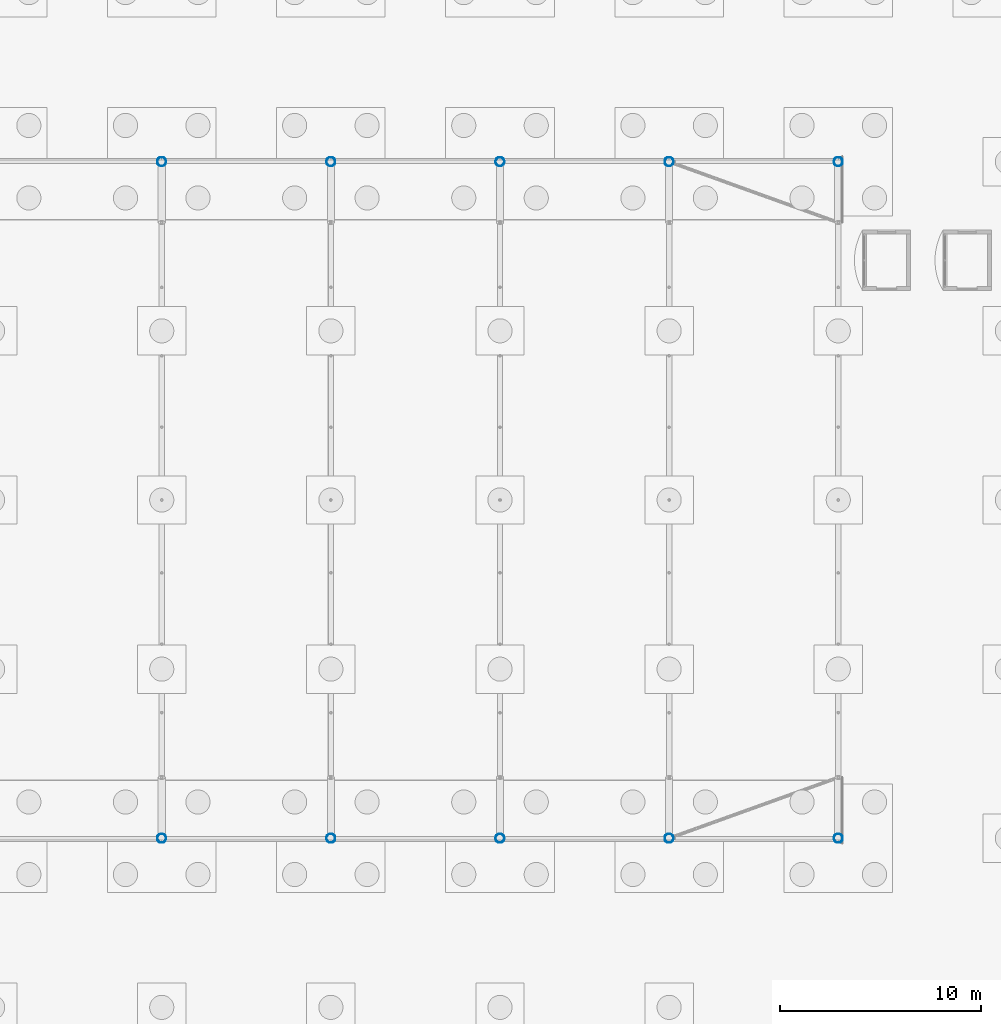
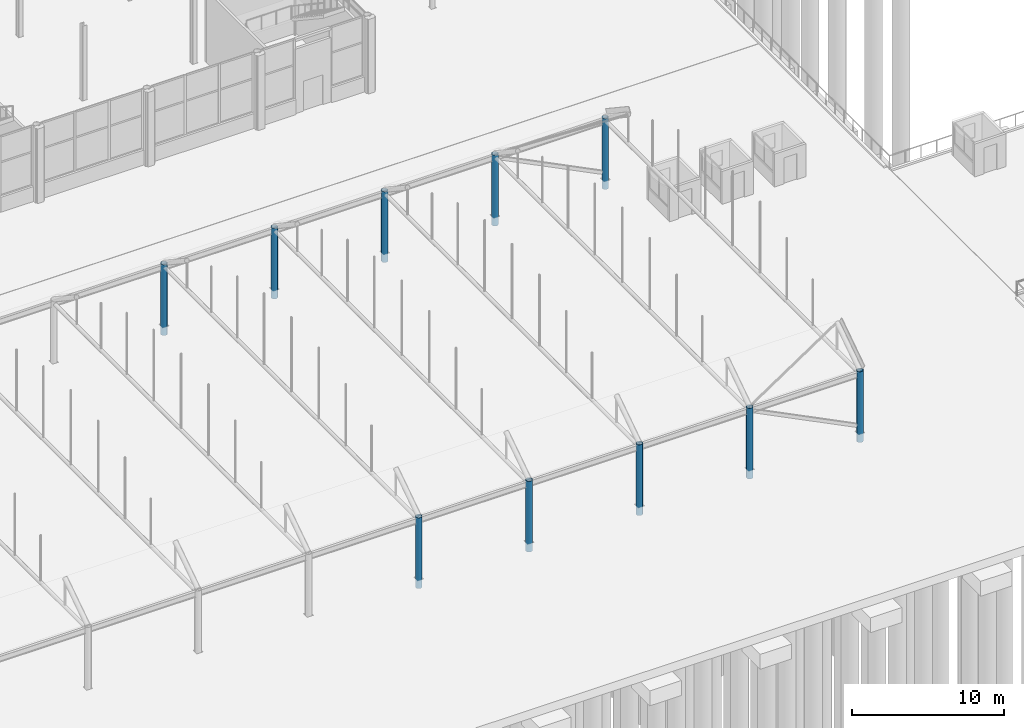
# One storey, part 9 of 212: 10 columns.
"""IFC4 building model written with IfcOpenShell, lengths in metres."""

from ifc_helpers import new_model, si_unit, direction, frame, origin, origin_2d, place, context, subcontext, project, spatial, hollow_circle, extrude, material, material_profile, profile_set, type_object, element, save


model = new_model("IFC4")

# Units and contexts
model_context = context("Model", 3, precision=1e-05, world=origin(), true_north=direction((0.0, 1.0)))
body_context = subcontext(model_context, "Body", "Model", "MODEL_VIEW")
ifc_project = project(units=[si_unit("LENGTHUNIT", "METRE"), si_unit("AREAUNIT", "SQUARE_METRE"), si_unit("VOLUMEUNIT", "CUBIC_METRE"), si_unit("PLANEANGLEUNIT", "RADIAN"), si_unit("MASSUNIT", "GRAM", prefix="KILO")], contexts=[model_context])

# Site, building, storey
site_placement = place(None, origin())
site = spatial("IfcSite", under=ifc_project, at=site_placement, CompositionType="ELEMENT")
building_placement = place(site_placement, origin())
building = spatial("IfcBuilding", under=site, at=building_placement, Name="Catenary Quay Ferry Terminal", CompositionType="ELEMENT")
storey_placement = place(building_placement, origin())
storey = spatial("IfcBuildingStorey", under=building, at=storey_placement, Name="L00", CompositionType="ELEMENT", Elevation=0.0)

# Columns
ifc_material = material(Name="Steel S355", Category="steel")
ifc_material_profile = material_profile(ifc_material, hollow_circle(Radius=0.228515625, WallThickness=0.01611328125, at=origin_2d()), Name="CHS 457x16")
ifc_profile_set = profile_set([ifc_material_profile], Name="Steel S355")
column_type = type_object("IfcColumnType", Name="C6 CHS 457x16", PredefinedType="COLUMN", material=ifc_profile_set)
for number, where, z_axis, x_axis, name in (
    (1, (67.199951171875, 16.800048828125, -0.699951171875), (0.0, 0.0, 1.0), (1.0, 0.0, 0.0), "Column C-I3 L00"),
    (2, (67.199951171875, 50.39990234375, -0.699951171875), (0.0, 0.0, 1.0), (1.0, 0.0, 0.0), "Column C-I7 L00"),
    (3, (75.60009765625, 16.800048828125, -0.699951171875), (0.0, 0.0, 1.0), (1.0, 0.0, 0.0), "Column C-J3 L00"),
    (4, (75.60009765625, 50.39990234375, -0.699951171875), (0.0, 0.0, 1.0), (1.0, 0.0, 0.0), "Column C-J7 L00"),
    (5, (84.0, 16.800048828125, -0.699951171875), (0.0, 0.0, 1.0), (1.0, 0.0, 0.0), "Column C-K3 L00"),
    (6, (84.0, 50.39990234375, -0.699951171875), (0.0, 0.0, 1.0), (1.0, 0.0, 0.0), "Column C-K7 L00"),
    (7, (92.39990234375, 16.800048828125, -0.699951171875), (0.0, 0.0, 1.0), (1.0, 0.0, 0.0), "Column C-L3 L00"),
    (8, (92.39990234375, 50.39990234375, -0.699951171875), (0.0, 0.0, 1.0), (1.0, 0.0, 0.0), "Column C-L7 L00"),
    (9, (100.800048828125, 16.800048828125, -0.699951171875), (0.0, 0.0, 1.0), (1.0, 0.0, 0.0), "Column C-M3 L00"),
    (10, (100.800048828125, 50.39990234375, -0.699951171875), (0.0, 0.0, 1.0), (1.0, 0.0, 0.0), "Column C-M7 L00"),
):
    element("IfcColumn", number, at=place(storey_placement, frame(where, z_axis=z_axis, x_axis=x_axis)), inside=storey, type_object=column_type, Name=name, PredefinedType="COLUMN", context=body_context, shape_type="SweptSolid", body=[
        extrude(hollow_circle(Radius=0.228515625, WallThickness=0.01611328125, at=origin_2d()), origin(), (0.0, 0.0, 1.0), 5.699951171875),
    ])

save(model, "model.ifc")
